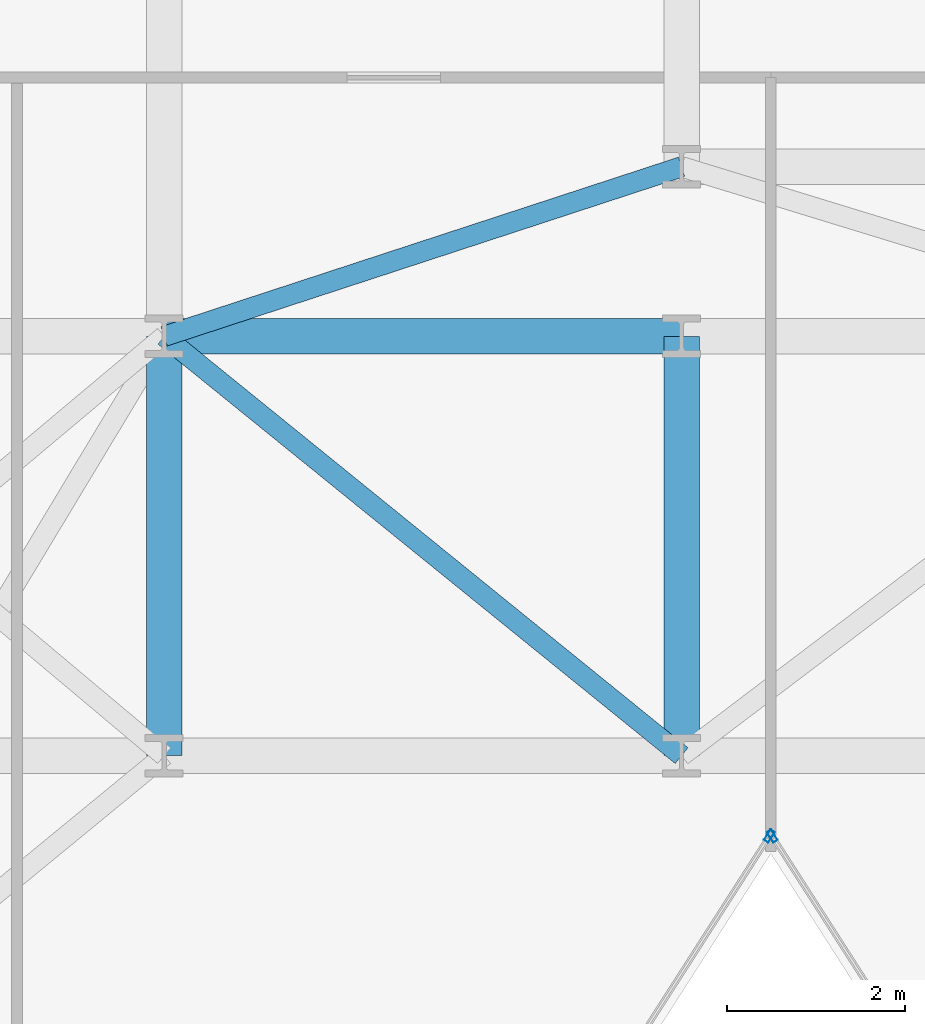
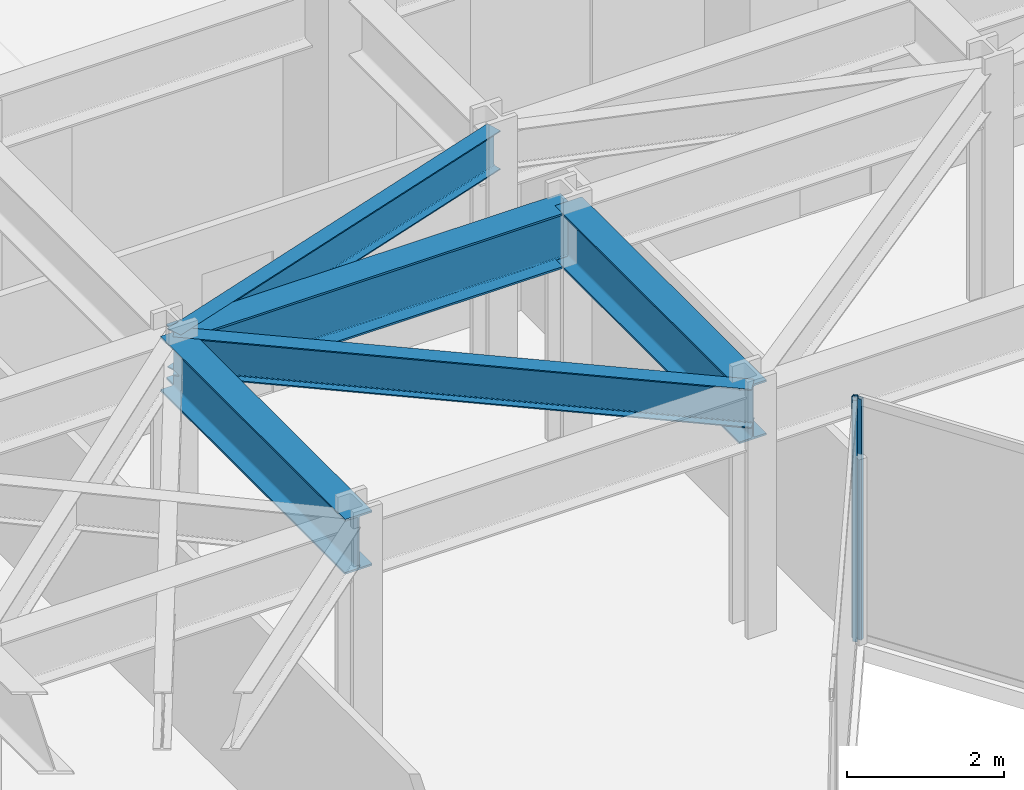
# One storey, part 8 of 24: 5 beams, 2 members, 2 elements without a shape of their own.
"""IFC4 building model written with IfcOpenShell, lengths in metres."""

from ifc_helpers import new_model, si_unit, direction, frame, origin, origin_2d, place, context, subcontext, project, spatial, hollow_rectangle, i_section, extrude, material, layer, layer_set, material_profile, profile_set, type_object, element, aggregate, save


model = new_model("IFC4")

# Units and contexts
model_context = context("Model", 3, precision=1e-05, world=origin(), true_north=direction((0.0, 1.0)))
body_context = subcontext(model_context, "Body", "Model", "MODEL_VIEW")
ifc_project = project(units=[si_unit("LENGTHUNIT", "METRE"), si_unit("AREAUNIT", "SQUARE_METRE"), si_unit("VOLUMEUNIT", "CUBIC_METRE"), si_unit("PLANEANGLEUNIT", "RADIAN"), si_unit("MASSUNIT", "GRAM", prefix="KILO")], contexts=[model_context])

# Site, building, storey
site_placement = place(None, origin())
site = spatial("IfcSite", under=ifc_project, at=site_placement, CompositionType="ELEMENT")
building_placement = place(site_placement, origin())
building = spatial("IfcBuilding", under=site, at=building_placement, Name="Kravanh Interchange Tower", CompositionType="ELEMENT")
storey_placement = place(building_placement, frame((0.0, 0.0, 96.0)))
storey = spatial("IfcBuildingStorey", under=building, at=storey_placement, Name="L22", CompositionType="ELEMENT", Elevation=96.0)

# Curtain wall, member
ifc_material_1 = material(Name="Anodised Bronze Aluminium", Category="aluminium")
ifc_layer = layer(ifc_material_1, 0.179931640625)
ifc_layer_set = layer_set([ifc_layer], Name="Unitised Curtain Wall System CW-Z2 Mid Office")
curtain_wall_type = type_object("IfcCurtainWallType", Name="Unitised Curtain Wall System CW-Z2 Mid Office", PredefinedType="NOTDEFINED", material=ifc_layer_set)
curtain_wall_1_placement = place(storey_placement, origin())
curtain_wall_1 = element("IfcCurtainWall", 1, at=curtain_wall_1_placement, inside=storey, type_object=curtain_wall_type, Name="L22 Unitised Curtain Wall CW-L22-04", PredefinedType="NOTDEFINED")
ifc_material_2 = material(Name="Anodised Bronze Aluminium", Category="aluminium")
ifc_material_profile_1 = material_profile(ifc_material_2, hollow_rectangle(XDim=0.06005859375, YDim=0.139892578125, WallThickness=0.00390625, at=origin_2d()), Name="ALU60X140X4")
ifc_profile_set_1 = profile_set([ifc_material_profile_1], Name="Anodised Bronze Aluminium")
member_type = type_object("IfcMemberType", Name="Curtain Wall Mullion ALU60X140X4 Bronze", PredefinedType="MULLION", material=ifc_profile_set_1)
member_1_placement = place(storey_placement, frame((39.6162109375, 25.897216796875, 0.0), z_axis=(0.0, 0.0, 1.0), x_axis=(-0.841879939476, -0.539664865919, 0.0)))
member_1 = element("IfcMember", 2, at=member_1_placement, type_object=member_type, Name="CW-Z2 mullion 5", PredefinedType="MULLION", context=body_context, shape_type="SweptSolid", body=[
    extrude(hollow_rectangle(XDim=0.06005859375, YDim=0.139892578125, WallThickness=0.00390625, at=origin_2d()), origin(), (0.0, 0.0, 1.0), 3.75),
])
aggregate(curtain_wall_1, [member_1])

curtain_wall_2_placement = place(storey_placement, origin())
curtain_wall_2 = element("IfcCurtainWall", 3, at=curtain_wall_2_placement, inside=storey, type_object=curtain_wall_type, Name="L22 Unitised Curtain Wall CW-L22-05", PredefinedType="NOTDEFINED")
member_2_placement = place(storey_placement, frame((39.583740234375, 25.897216796875, 0.0), z_axis=(0.0, 0.0, 1.0), x_axis=(0.841879939476, -0.539664865919, 0.0)))
member_2 = element("IfcMember", 4, at=member_2_placement, type_object=member_type, Name="CW-Z2 mullion 1", PredefinedType="MULLION", context=body_context, shape_type="SweptSolid", body=[
    extrude(hollow_rectangle(XDim=0.06005859375, YDim=0.139892578125, WallThickness=0.00390625, at=origin_2d()), origin(), (0.0, 0.0, 1.0), 3.75),
])
aggregate(curtain_wall_2, [member_2])

# Beams
ifc_material_3 = material(Name="Structural Steel S355", Category="steel")
ifc_material_profile_2 = material_profile(ifc_material_3, i_section(OverallWidth=0.39990234375, OverallDepth=0.85595703125, WebThickness=0.018310546875, FlangeThickness=0.029296875, FilletRadius=0.02490234375, at=origin_2d()), Name="W33X201")
ifc_profile_set_2 = profile_set([ifc_material_profile_2], Name="Structural Steel S355")
beam_type_1 = type_object("IfcBeamType", Name="Floor Beam W33X201 Structural Steel S355", PredefinedType="BEAM", material=ifc_profile_set_2)
for number, where, z_axis, x_axis, name in (
    (5, (32.800048828125, 26.800048828125, 3.322021484375), (0.0, 1.0, 0.0), (-1.0, 0.0, 0.0), "L22 Primary Floor Girder 49"),
    (6, (38.60009765625, 26.800048828125, 3.322021484375), (0.0, 1.0, 0.0), (-1.0, 0.0, 0.0), "L22 Primary Floor Girder 53"),
):
    element("IfcBeam", number, at=place(storey_placement, frame(where, z_axis=z_axis, x_axis=x_axis)), inside=storey, type_object=beam_type_1, Name=name, PredefinedType="BEAM", context=body_context, shape_type="SweptSolid", body=[
        extrude(i_section(OverallWidth=0.39990234375, OverallDepth=0.85595703125, WebThickness=0.018310546875, FlangeThickness=0.029296875, FilletRadius=0.02490234375, at=origin_2d()), origin(), (0.0, 0.0, 1.0), 4.699951171875),
    ])
beam_1_placement = place(storey_placement, frame((32.800048828125, 31.5, 3.322021484375), z_axis=(1.0, 0.0, 0.0), x_axis=(0.0, 1.0, 0.0)))
element("IfcBeam", 7, at=beam_1_placement, inside=storey, type_object=beam_type_1, Name="L22 Primary Floor Girder 78", PredefinedType="BEAM", context=body_context, shape_type="SweptSolid", body=[
    extrude(i_section(OverallWidth=0.39990234375, OverallDepth=0.85595703125, WebThickness=0.018310546875, FlangeThickness=0.029296875, FilletRadius=0.02490234375, at=origin_2d()), origin(), (0.0, 0.0, 1.0), 5.800048828125),
])
ifc_material_4 = material(Name="Structural Steel S355", Category="steel")
ifc_material_profile_3 = material_profile(ifc_material_4, i_section(OverallWidth=0.22802734375, OverallDepth=0.60791015625, WebThickness=0.01123046875, FlangeThickness=0.017333984375, FilletRadius=0.02197265625, at=origin_2d()), Name="W24X76")
ifc_profile_set_3 = profile_set([ifc_material_profile_3], Name="Structural Steel S355")
beam_type_2 = type_object("IfcBeamType", Name="Floor Spandrel W24X76 Structural Steel S355", PredefinedType="SPANDREL", material=ifc_profile_set_3)
beam_2_placement = place(storey_placement, frame((38.60009765625, 26.800048828125, 3.446044921875), z_axis=(-0.776938619557, 0.629576350764, 0.0), x_axis=(-0.629576350764, -0.776938619557, 0.0)))
element("IfcBeam", 8, at=beam_2_placement, inside=storey, type_object=beam_type_2, Name="L22 Perimeter Spandrel 54", PredefinedType="SPANDREL", context=body_context, shape_type="SweptSolid", body=[
    extrude(i_section(OverallWidth=0.22802734375, OverallDepth=0.60791015625, WebThickness=0.01123046875, FlangeThickness=0.017333984375, FilletRadius=0.02197265625, at=origin_2d()), origin(), (0.0, 0.0, 1.0), 7.46533203125),
])
beam_3_placement = place(storey_placement, frame((32.800048828125, 31.5, 3.446044921875), z_axis=(0.950314536578, 0.31129131303, 0.0), x_axis=(-0.31129131303, 0.950314536578, 0.0)))
element("IfcBeam", 9, at=beam_3_placement, inside=storey, type_object=beam_type_2, Name="L22 Perimeter Spandrel 79", PredefinedType="SPANDREL", context=body_context, shape_type="SweptSolid", body=[
    extrude(i_section(OverallWidth=0.22802734375, OverallDepth=0.60791015625, WebThickness=0.01123046875, FlangeThickness=0.017333984375, FilletRadius=0.02197265625, at=origin_2d()), origin(), (0.0, 0.0, 1.0), 6.103271484375),
])

save(model, "model.ifc")
